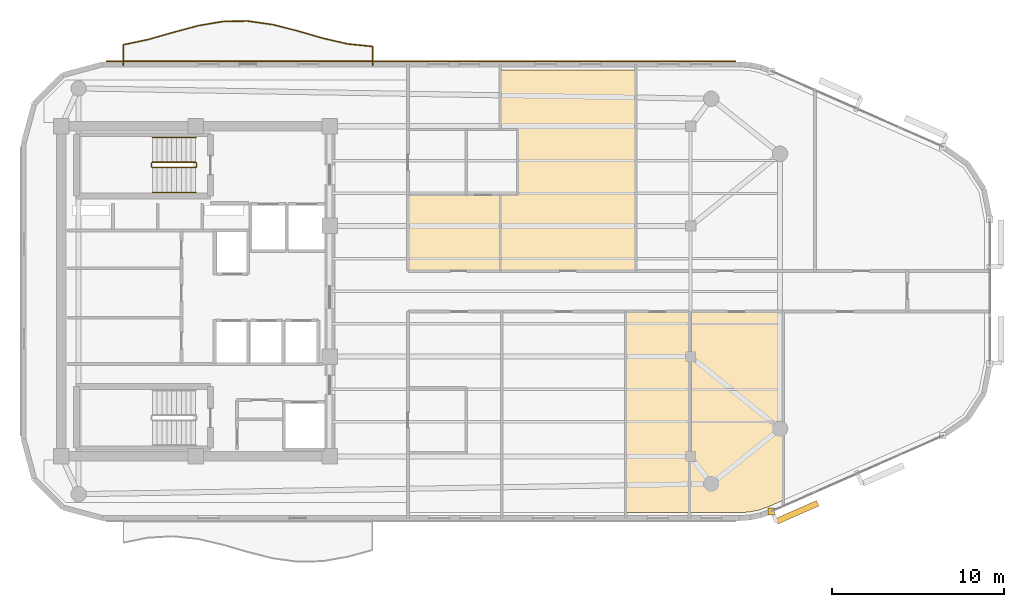
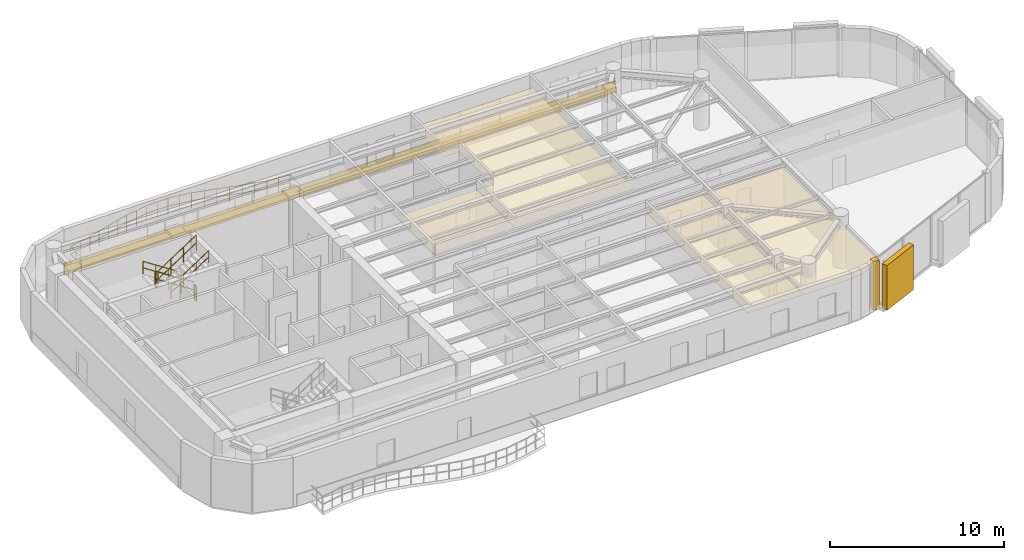
# One storey, part 13 of 14: 7 railings, 6 coverings, 1 shading device.
"""IFC4 building model written with IfcOpenShell, lengths in metres."""

import ifcopenshell
import ifcopenshell.guid

model = None  # the IFC model being written
_history = None  # IfcOwnerHistory: only IFC2X3 demands one
_inside = {}  # id of a spatial element -> (the spatial element, [elements in it])
_under = {}  # id of a project, library or spatial element -> (it, [spatial elements below it])
_declared = {}  # id of a project -> (the project, [libraries it declares])
_typed = {}  # id of a type object -> (the type object, [elements of that type])
_made_of = {}  # id of a material, layer set ... -> (it, [elements and type objects made of it])


def new_model(schema):
    """Start an empty IFC model of exactly this schema.

    Asked for "IFC4X3", IfcOpenShell would pick the latest addendum, in which some entities
    have other attributes; the version numbers below select the first issue.
    IFC2X3 requires an IfcOwnerHistory on every rooted entity: one is made here for all.
    """
    global model, _history
    if schema == "IFC4X3":
        model = ifcopenshell.file(schema_version=(4, 3, 0, 0))
    else:
        model = ifcopenshell.file(schema=schema)
    _inside.clear()
    _under.clear()
    _declared.clear()
    _typed.clear()
    _made_of.clear()
    _history = None
    if model.schema == "IFC2X3":
        org = make("IfcOrganization", Name="unknown")
        user = make(
            "IfcPersonAndOrganization",
            ThePerson=make("IfcPerson", FamilyName="unknown"),
            TheOrganization=org,
        )
        app = make(
            "IfcApplication",
            ApplicationDeveloper=org,
            Version="unknown",
            ApplicationFullName="unknown",
            ApplicationIdentifier="unknown",
        )
        _history = make(
            "IfcOwnerHistory",
            OwningUser=user,
            OwningApplication=app,
            ChangeAction="ADDED",
            CreationDate=0,
        )
    return model


def make(cls, **values):
    """One entity of the class cls with the attributes given. An attribute that is None is left unset."""
    return model.create_entity(
        cls, **{name: value for name, value in values.items() if value is not None}
    )


def rooted(cls, **values):
    """An entity with a GlobalId (a new one), such as an element, a storey or a relation."""
    return make(cls, GlobalId=ifcopenshell.guid.new(), OwnerHistory=_history, **values)


def si_unit(unit_type, name, prefix=None):
    """IfcSIUnit, for example si_unit("LENGTHUNIT", "METRE", prefix="MILLI")."""
    return make("IfcSIUnit", UnitType=unit_type, Prefix=prefix, Name=name)


def assignment(units):
    """IfcUnitAssignment: the units of a project."""
    return None if units is None else make("IfcUnitAssignment", Units=units)


def point(xyz):
    """IfcCartesianPoint."""
    return None if xyz is None else make("IfcCartesianPoint", Coordinates=xyz)


def direction(xyz):
    """IfcDirection."""
    return None if xyz is None else make("IfcDirection", DirectionRatios=xyz)


def frame(location, z_axis=None, x_axis=None):
    """IfcAxis2Placement3D, a coordinate frame: its origin and axes. An axis left out is left unset."""
    return make(
        "IfcAxis2Placement3D",
        Location=point(location),
        Axis=direction(z_axis),
        RefDirection=direction(x_axis),
    )


def frame_2d(location, x_axis=None):
    """IfcAxis2Placement2D, a coordinate frame in the plane: its origin and x axis."""
    return make(
        "IfcAxis2Placement2D", Location=point(location), RefDirection=direction(x_axis)
    )


def origin():
    """The frame at (0, 0, 0) with its axes left unset."""
    return frame((0.0, 0.0, 0.0))


def origin_2d():
    """The frame at (0, 0) in the plane with its x axis left unset."""
    return frame_2d((0.0, 0.0))


def place(relative_to, where):
    """IfcLocalPlacement: puts the frame where relative to a parent placement (None: the world)."""
    return make(
        "IfcLocalPlacement", PlacementRelTo=relative_to, RelativePlacement=where
    )


def context(
    kind, dimensions, precision=None, world=None, true_north=None, identifier=None
):
    """IfcGeometricRepresentationContext, for example the 3D "Model" context."""
    return make(
        "IfcGeometricRepresentationContext",
        ContextIdentifier=identifier,
        ContextType=kind,
        CoordinateSpaceDimension=dimensions,
        Precision=precision,
        WorldCoordinateSystem=world,
        TrueNorth=true_north,
    )


def subcontext(parent, identifier, kind, view, scale=None):
    """IfcGeometricRepresentationSubContext, for example "Body" below "Model"."""
    return make(
        "IfcGeometricRepresentationSubContext",
        ContextIdentifier=identifier,
        ContextType=kind,
        ParentContext=parent,
        TargetScale=scale,
        TargetView=view,
    )


def project(units=None, contexts=None):
    """IfcProject with its units and contexts."""
    return rooted(
        "IfcProject",
        Name="project",
        RepresentationContexts=contexts,
        UnitsInContext=assignment(units),
    )


def spatial(cls, under=None, at=None, **own):
    """A site, building, storey or space (cls), placed at a placement, below another one or the project."""
    s = rooted(cls, ObjectPlacement=at, **own)
    if under is not None:
        _under.setdefault(under.id(), (under, []))[1].append(s)
    return s


def polyline(points):
    """IfcPolyline through the points."""
    return make("IfcPolyline", Points=[point(p) for p in points])


def profile(cls, at=None, kind="AREA", **sizes):
    """A parametric profile (cls). Its sizes go by their IFC names, for example OverallWidth=200.0."""
    return make(cls, ProfileType=kind, Position=at, **sizes)


def rectangle(**sizes):
    """IfcRectangleProfileDef."""
    return profile("IfcRectangleProfileDef", **sizes)


def circle(**sizes):
    """IfcCircleProfileDef."""
    return profile("IfcCircleProfileDef", **sizes)


def outline(outer, holes=None, kind="AREA"):
    """IfcArbitraryClosedProfileDef: a profile drawn as a closed curve; with holes, ...WithVoids."""
    if holes is None:
        return make("IfcArbitraryClosedProfileDef", ProfileType=kind, OuterCurve=outer)
    return make(
        "IfcArbitraryProfileDefWithVoids",
        ProfileType=kind,
        OuterCurve=outer,
        InnerCurves=holes,
    )


def extrude(swept, where, along, depth):
    """IfcExtrudedAreaSolid: the profile swept, set in the frame where, extruded along a direction by depth."""
    return make(
        "IfcExtrudedAreaSolid",
        SweptArea=swept,
        Position=where,
        ExtrudedDirection=direction(along),
        Depth=depth,
    )


def shape(context_of_items, identifier, shape_type, items):
    """IfcShapeRepresentation: the items that make up one representation, for example the "Body"."""
    return make(
        "IfcShapeRepresentation",
        ContextOfItems=context_of_items,
        RepresentationIdentifier=identifier,
        RepresentationType=shape_type,
        Items=items,
    )


def material(Name=None, Category=None):
    """IfcMaterial."""
    return make("IfcMaterial", Name=Name, Category=Category)


def layer(
    of_material, thickness, ventilated=None, Name=None, Category=None, Priority=None
):
    """IfcMaterialLayer: one layer of a wall or slab, of a material (None: an air gap)."""
    return make(
        "IfcMaterialLayer",
        Material=of_material,
        LayerThickness=thickness,
        IsVentilated=ventilated,
        Name=Name,
        Category=Category,
        Priority=Priority,
    )


def layer_set(layers, Name=None):
    """IfcMaterialLayerSet."""
    return make("IfcMaterialLayerSet", MaterialLayers=layers, LayerSetName=Name)


def made_of(thing, what):
    """Note that an element or type object is made of a material, layer set ...; save() writes the relation."""
    if what is not None:
        _made_of.setdefault(what.id(), (what, []))[1].append(thing)
    return thing


def type_object(cls, material=None, **own):
    """A type object (cls), such as IfcWallType, which elements share."""
    return made_of(rooted(cls, **own), material)


def element(
    cls,
    number,
    at=None,
    inside=None,
    cuts=None,
    type_object=None,
    material=None,
    context=None,
    identifier="Body",
    shape_type=None,
    held_by="IfcProductDefinitionShape",
    body=None,
    shapes=None,
    **own,
):
    """One element of the class cls, such as IfcWall. Its Tag is "e" and its number.

    at: its placement. inside: the storey or other place that contains it. cuts: it is an
    opening in that element (IfcRelVoidsElement). A single representation is given by context,
    identifier, shape_type and body (its items); several are given by shapes. held_by: the class
    of the entity that holds the representations. save() writes the other relations.
    """
    e = rooted(cls, Tag="e%d" % number, ObjectPlacement=at, **own)
    if body is not None:
        shapes = [shape(context, identifier, shape_type, body)]
    if shapes is not None:
        e.Representation = make(held_by, Representations=shapes)
    if inside is not None:
        _inside.setdefault(inside.id(), (inside, []))[1].append(e)
    if cuts is not None:
        rooted(
            "IfcRelVoidsElement", RelatingBuildingElement=cuts, RelatedOpeningElement=e
        )
    if type_object is not None:
        _typed.setdefault(type_object.id(), (type_object, []))[1].append(e)
    return made_of(e, material)


def aggregate(whole, parts):
    """IfcRelAggregates: a whole, such as a stair, and the parts it consists of."""
    return rooted("IfcRelAggregates", RelatingObject=whole, RelatedObjects=parts)


def save(model, path):
    """Write the relations noted so far, then the file.

    IfcRelAggregates (storeys below a building ...), IfcRelContainedInSpatialStructure (elements
    in a storey), IfcRelDefinesByType, IfcRelAssociatesMaterial and IfcRelDeclares: one each for
    every whole, place, type object, material and project.
    """
    for whole, parts in _under.values():
        aggregate(whole, parts)
    for where, things in _inside.values():
        rooted(
            "IfcRelContainedInSpatialStructure",
            RelatedElements=things,
            RelatingStructure=where,
        )
    for kind, things in _typed.values():
        rooted("IfcRelDefinesByType", RelatedObjects=things, RelatingType=kind)
    for what, things in _made_of.values():
        rooted("IfcRelAssociatesMaterial", RelatedObjects=things, RelatingMaterial=what)
    for by, libraries in _declared.values():
        rooted("IfcRelDeclares", RelatingContext=by, RelatedDefinitions=libraries)
    model.write(path)


model = new_model("IFC4")

# Units and contexts
model_context = context("Model", 3, precision=1e-05, world=origin(), true_north=direction((0.0, 1.0)))
body_context = subcontext(model_context, "Body", "Model", "MODEL_VIEW")
ifc_project = project(units=[si_unit("LENGTHUNIT", "METRE"), si_unit("AREAUNIT", "SQUARE_METRE"), si_unit("VOLUMEUNIT", "CUBIC_METRE"), si_unit("PLANEANGLEUNIT", "RADIAN"), si_unit("MASSUNIT", "GRAM", prefix="KILO")], contexts=[model_context])

# Site, building, storey
site_placement = place(None, origin())
site = spatial("IfcSite", under=ifc_project, at=site_placement, CompositionType="ELEMENT")
building_placement = place(site_placement, origin())
building = spatial("IfcBuilding", under=site, at=building_placement, Name="An Khanh Terracotta Commons", CompositionType="ELEMENT")
storey_placement = place(building_placement, frame((0.0, 0.0, 284.35009765625)))
storey = spatial("IfcBuildingStorey", under=building, at=storey_placement, Name="L74", CompositionType="ELEMENT", Elevation=284.35009765625)

# Coverings
ifc_material_1 = material(Name="Perforated Mineral-Fibre Acoustic Tile")
ifc_layer_1 = layer(ifc_material_1, 0.02001953125, Name="Perforated Mineral-Fibre Acoustic Tile")
ifc_layer_set_1 = layer_set([ifc_layer_1], Name="Perforated Mineral-Fibre Acoustic Tile")
covering_type_1 = type_object("IfcCoveringType", Name="CEIL-ACOUSTIC-18", PredefinedType="CEILING", material=ifc_layer_set_1)
covering_1_placement = place(storey_placement, frame((0.0, 0.0, 2.64990234375)))
element("IfcCovering", 1, at=covering_1_placement, inside=storey, type_object=covering_type_1, Name="L74 Observatory Study Hall Ceiling", PredefinedType="CEILING", context=body_context, shape_type="SweptSolid", body=[
    extrude(outline(polyline([(41.75, 25.179931640625), (41.75, 29.60009765625), (45.14990234375, 29.60009765625), (47.117919921875, 29.60009765625), (47.117919921875, 25.179931640625), (41.75, 25.179931640625)])), origin(), (0.0, 0.0, 1.0), 0.02001953125),
])
covering_2_placement = place(storey_placement, frame((0.0, 0.0, 2.64990234375)))
element("IfcCovering", 2, at=covering_2_placement, inside=storey, type_object=covering_type_1, Name="L74 Riverfront Reading Hall Ceiling", PredefinedType="CEILING", context=body_context, shape_type="SweptSolid", body=[
    extrude(outline(polyline([(55.011962890625, 36.8798828125), (55.011962890625, 25.179931640625), (47.117919921875, 25.179931640625), (47.117919921875, 29.60009765625), (48.14990234375, 29.60009765625), (48.14990234375, 33.39990234375), (47.117919921875, 33.39990234375), (47.117919921875, 36.8798828125), (55.011962890625, 36.8798828125)])), origin(), (0.0, 0.0, 1.0), 0.02001953125),
])
covering_3_placement = place(storey_placement, frame((0.0, 0.0, 2.64990234375)))
element("IfcCovering", 3, at=covering_3_placement, inside=storey, type_object=covering_type_1, Name="L74 Collaborative Study Lounge Ceiling", PredefinedType="CEILING", context=body_context, shape_type="SweptSolid", body=[
    extrude(outline(polyline([(54.41796875, 11.1201171875), (54.41796875, 22.820068359375), (58.132080078125, 22.820068359375), (58.132080078125, 11.1201171875), (54.41796875, 11.1201171875)])), origin(), (0.0, 0.0, 1.0), 0.02001953125),
])
covering_4_placement = place(storey_placement, frame((0.0, 0.0, 2.64990234375)))
element("IfcCovering", 4, at=covering_4_placement, inside=storey, type_object=covering_type_1, Name="L74 Collaborative Study Lounge Ceiling", PredefinedType="CEILING", context=body_context, shape_type="SweptSolid", body=[
    extrude(outline(polyline([(62.76806640625, 11.488037109375), (62.199951171875, 11.283935546875), (61.62109375, 11.162109375), (61.01904296875, 11.1201171875), (58.132080078125, 11.1201171875), (58.132080078125, 22.820068359375), (63.592041015625, 22.820068359375), (63.592041015625, 11.85205078125), (62.76806640625, 11.488037109375)])), origin(), (0.0, 0.0, 1.0), 0.02001953125),
])
ifc_material_2 = material(Name="Fired Terracotta Rainscreen Cladding", Category="masonry")
ifc_layer_2 = layer(ifc_material_2, 0.080078125, Name="Fired Terracotta Rainscreen Cladding")
ifc_layer_set_2 = layer_set([ifc_layer_2], Name="Fired Terracotta Rainscreen Cladding")
covering_type_2 = type_object("IfcCoveringType", Name="COV-JAMB-TERRA", PredefinedType="CLADDING", material=ifc_layer_set_2)
covering_5_placement = place(storey_placement, frame((62.886962890625, 11.19091796875, 0.0), z_axis=(0.0, 0.0, 1.0), x_axis=(1.0, 0.0, 0.0)))
element("IfcCovering", 5, at=covering_5_placement, inside=storey, type_object=covering_type_2, Name="L74 CW-03 Curtain-Wall Jamb Closure JA", PredefinedType="CLADDING", context=body_context, shape_type="SweptSolid", body=[
    extrude(rectangle(XDim=0.3798828125, YDim=0.3798828125, at=origin_2d()), origin(), (0.0, 0.0, 1.0), 3.449951171875),
])
ifc_layer_3 = layer(ifc_material_2, 0.06005859375, Name="Fired Terracotta Rainscreen Cladding")
ifc_layer_set_3 = layer_set([ifc_layer_3], Name="Fired Terracotta Rainscreen Cladding")
covering_type_3 = type_object("IfcCoveringType", Name="COV-SPANDREL-TERRA", PredefinedType="CLADDING", material=ifc_layer_set_3)
covering_6_placement = place(storey_placement, frame((42.514892578125, 37.3798828125, 0.02001953125), z_axis=(0.0, 0.0, 1.0), x_axis=(-1.0, 0.0, 0.0)))
element("IfcCovering", 6, at=covering_6_placement, inside=storey, type_object=covering_type_3, Name="L74 Terracotta Spandrel Cladding 20", PredefinedType="CLADDING", context=body_context, shape_type="SweptSolid", body=[
    extrude(rectangle(XDim=36.6298828125, YDim=0.06005859375, at=origin_2d()), origin(), (0.0, 0.0, 1.0), 0.800048828125),
])

# Railings
ifc_material_3 = material(Name="Brushed Stainless Steel 316", Category="steel")
railing_type_1 = type_object("IfcRailingType", Name="RAIL-BALUSTRADE-1100", PredefinedType="BALUSTRADE", material=ifc_material_3)
railing_1_placement = place(storey_placement, frame((39.699951171875, 37.139892578125, 0.0)))
element("IfcRailing", 7, at=railing_1_placement, inside=storey, type_object=railing_type_1, Name="L74 N Wave Balcony Guard Balustrade", PredefinedType="BALUSTRADE", context=body_context, shape_type="SweptSolid", body=[
    extrude(circle(Radius=0.02392578125, at=origin_2d()), frame((0.0, 0.0, 1.076171875), z_axis=(0.0, 1.0, 0.0), x_axis=(-1.0, 0.0, 0.0)), (0.0, 0.0, 1.0), 1.10205078125),
    extrude(circle(Radius=0.02392578125, at=origin_2d()), frame((0.0, 0.0, 0.52587890625), z_axis=(0.0, 1.0, 0.0), x_axis=(-1.0, 0.0, 0.0)), (0.0, 0.0, 1.0), 1.10205078125),
    extrude(circle(Radius=0.02392578125, at=origin_2d()), frame((0.0, 1.10205078125, 1.076171875), z_axis=(-0.995101678838, 0.098856708287, 0.0), x_axis=(-0.098856708287, -0.995101678838, 0.0)), (0.0, 0.0, 1.0), 1.45703125),
    extrude(circle(Radius=0.02392578125, at=origin_2d()), frame((0.0, 1.10205078125, 0.52587890625), z_axis=(-0.995101678838, 0.098856708287, 0.0), x_axis=(-0.098856708287, -0.995101678838, 0.0)), (0.0, 0.0, 1.0), 1.45703125),
    extrude(circle(Radius=0.02392578125, at=origin_2d()), frame((-1.449951171875, 1.24609375, 1.076171875), z_axis=(-0.974338633772, 0.225087153651, 0.0), x_axis=(-0.225087153651, -0.974338633772, 0.0)), (0.0, 0.0, 1.0), 1.488037109375),
    extrude(circle(Radius=0.02392578125, at=origin_2d()), frame((-1.449951171875, 1.24609375, 0.52587890625), z_axis=(-0.974338633772, 0.225087153651, 0.0), x_axis=(-0.225087153651, -0.974338633772, 0.0)), (0.0, 0.0, 1.0), 1.488037109375),
    extrude(circle(Radius=0.02392578125, at=origin_2d()), frame((-2.89990234375, 1.5810546875, 1.076171875), z_axis=(-0.960485792075, 0.278329019727, 0.0), x_axis=(-0.278329019727, -0.960485792075, 0.0)), (0.0, 0.0, 1.0), 1.509521484375),
    extrude(circle(Radius=0.02392578125, at=origin_2d()), frame((-2.89990234375, 1.5810546875, 0.52587890625), z_axis=(-0.960485792075, 0.278329019727, 0.0), x_axis=(-0.278329019727, -0.960485792075, 0.0)), (0.0, 0.0, 1.0), 1.509521484375),
    extrude(circle(Radius=0.02392578125, at=origin_2d()), frame((-4.349853515625, 2.001220703125, 1.076171875), z_axis=(-0.968666884021, 0.248363579859, 0.0), x_axis=(-0.248363579859, -0.968666884021, 0.0)), (0.0, 0.0, 1.0), 1.4970703125),
    extrude(circle(Radius=0.02392578125, at=origin_2d()), frame((-4.349853515625, 2.001220703125, 0.52587890625), z_axis=(-0.968666884021, 0.248363579859, 0.0), x_axis=(-0.248363579859, -0.968666884021, 0.0)), (0.0, 0.0, 1.0), 1.4970703125),
    extrude(circle(Radius=0.02392578125, at=origin_2d()), frame((-5.800048828125, 2.373046875, 1.076171875), z_axis=(-0.98995949246, 0.141351346962, 0.0), x_axis=(-0.141351346962, -0.98995949246, 0.0)), (0.0, 0.0, 1.0), 1.464599609375),
    extrude(circle(Radius=0.02392578125, at=origin_2d()), frame((-5.800048828125, 2.373046875, 0.52587890625), z_axis=(-0.98995949246, 0.141351346962, 0.0), x_axis=(-0.141351346962, -0.98995949246, 0.0)), (0.0, 0.0, 1.0), 1.464599609375),
    extrude(circle(Radius=0.02392578125, at=origin_2d()), frame((-7.25, 2.580078125, 1.076171875), z_axis=(-0.999874767378, -0.015825598271, 0.0), x_axis=(0.015825598271, -0.999874767378, 0.0)), (0.0, 0.0, 1.0), 1.4501953125),
    extrude(circle(Radius=0.02392578125, at=origin_2d()), frame((-7.25, 2.580078125, 0.52587890625), z_axis=(-0.999874767378, -0.015825598271, 0.0), x_axis=(0.015825598271, -0.999874767378, 0.0)), (0.0, 0.0, 1.0), 1.4501953125),
    extrude(circle(Radius=0.02392578125, at=origin_2d()), frame((-8.699951171875, 2.55712890625, 1.076171875), z_axis=(-0.985790775199, -0.167977818572, 0.0), x_axis=(0.167977818572, -0.985790775199, 0.0)), (0.0, 0.0, 1.0), 1.470947265625),
    extrude(circle(Radius=0.02392578125, at=origin_2d()), frame((-8.699951171875, 2.55712890625, 0.52587890625), z_axis=(-0.985790775199, -0.167977818572, 0.0), x_axis=(0.167977818572, -0.985790775199, 0.0)), (0.0, 0.0, 1.0), 1.470947265625),
    extrude(circle(Radius=0.02392578125, at=origin_2d()), frame((-10.14990234375, 2.31005859375, 1.076171875), z_axis=(-0.965532515562, -0.260282464626, 0.0), x_axis=(0.260282464626, -0.965532515562, 0.0)), (0.0, 0.0, 1.0), 1.501708984375),
    extrude(circle(Radius=0.02392578125, at=origin_2d()), frame((-10.14990234375, 2.31005859375, 0.52587890625), z_axis=(-0.965532515562, -0.260282464626, 0.0), x_axis=(0.260282464626, -0.965532515562, 0.0)), (0.0, 0.0, 1.0), 1.501708984375),
    extrude(circle(Radius=0.02392578125, at=origin_2d()), frame((-11.599853515625, 1.919189453125, 1.076171875), z_axis=(-0.961572802146, -0.274550079535, 0.0), x_axis=(0.274550079535, -0.961572802146, 0.0)), (0.0, 0.0, 1.0), 1.508056640625),
    extrude(circle(Radius=0.02392578125, at=origin_2d()), frame((-11.599853515625, 1.919189453125, 0.52587890625), z_axis=(-0.961572802146, -0.274550079535, 0.0), x_axis=(0.274550079535, -0.961572802146, 0.0)), (0.0, 0.0, 1.0), 1.508056640625),
    extrude(circle(Radius=0.02392578125, at=origin_2d()), frame((-13.050048828125, 1.505126953125, 1.076171875), z_axis=(-0.978593469626, -0.20580286977, 0.0), x_axis=(0.20580286977, -0.978593469626, 0.0)), (0.0, 0.0, 1.0), 1.481689453125),
    extrude(circle(Radius=0.02392578125, at=origin_2d()), frame((-13.050048828125, 1.505126953125, 0.52587890625), z_axis=(-0.978593469626, -0.20580286977, 0.0), x_axis=(0.20580286977, -0.978593469626, 0.0)), (0.0, 0.0, 1.0), 1.481689453125),
    extrude(circle(Radius=0.02392578125, at=origin_2d()), frame((-14.5, 1.2001953125, 1.076171875), z_axis=(0.0, -1.0, 0.0), x_axis=(1.0, 0.0, 0.0)), (0.0, 0.0, 1.0), 1.2001953125),
    extrude(circle(Radius=0.02392578125, at=origin_2d()), frame((-14.5, 1.2001953125, 0.52587890625), z_axis=(0.0, -1.0, 0.0), x_axis=(1.0, 0.0, 0.0)), (0.0, 0.0, 1.0), 1.2001953125),
    extrude(circle(Radius=0.02099609375, at=origin_2d()), origin(), (0.0, 0.0, 1.0), 1.052001953125),
    extrude(circle(Radius=0.02099609375, at=origin_2d()), frame((0.0, 1.10205078125, 0.0)), (0.0, 0.0, 1.0), 1.052001953125),
    extrude(circle(Radius=0.02099609375, at=origin_2d()), frame((-0.72509765625, 1.174072265625, 0.0)), (0.0, 0.0, 1.0), 1.052001953125),
    extrude(circle(Radius=0.02099609375, at=origin_2d()), frame((-1.449951171875, 1.24609375, 0.0)), (0.0, 0.0, 1.0), 1.052001953125),
    extrude(circle(Radius=0.02099609375, at=origin_2d()), frame((-2.1748046875, 1.41357421875, 0.0)), (0.0, 0.0, 1.0), 1.052001953125),
    extrude(circle(Radius=0.02099609375, at=origin_2d()), frame((-2.89990234375, 1.5810546875, 0.0)), (0.0, 0.0, 1.0), 1.052001953125),
    extrude(circle(Radius=0.02099609375, at=origin_2d()), frame((-3.625, 1.791015625, 0.0)), (0.0, 0.0, 1.0), 1.052001953125),
    extrude(circle(Radius=0.02099609375, at=origin_2d()), frame((-4.349853515625, 2.001220703125, 0.0)), (0.0, 0.0, 1.0), 1.052001953125),
    extrude(circle(Radius=0.02099609375, at=origin_2d()), frame((-5.074951171875, 2.18701171875, 0.0)), (0.0, 0.0, 1.0), 1.052001953125),
    extrude(circle(Radius=0.02099609375, at=origin_2d()), frame((-5.800048828125, 2.373046875, 0.0)), (0.0, 0.0, 1.0), 1.052001953125),
    extrude(circle(Radius=0.02099609375, at=origin_2d()), frame((-6.52490234375, 2.4765625, 0.0)), (0.0, 0.0, 1.0), 1.052001953125),
    extrude(circle(Radius=0.02099609375, at=origin_2d()), frame((-7.25, 2.580078125, 0.0)), (0.0, 0.0, 1.0), 1.052001953125),
    extrude(circle(Radius=0.02099609375, at=origin_2d()), frame((-7.97509765625, 2.568603515625, 0.0)), (0.0, 0.0, 1.0), 1.052001953125),
    extrude(circle(Radius=0.02099609375, at=origin_2d()), frame((-8.699951171875, 2.55712890625, 0.0)), (0.0, 0.0, 1.0), 1.052001953125),
    extrude(circle(Radius=0.02099609375, at=origin_2d()), frame((-9.4248046875, 2.43359375, 0.0)), (0.0, 0.0, 1.0), 1.052001953125),
    extrude(circle(Radius=0.02099609375, at=origin_2d()), frame((-10.14990234375, 2.31005859375, 0.0)), (0.0, 0.0, 1.0), 1.052001953125),
    extrude(circle(Radius=0.02099609375, at=origin_2d()), frame((-10.875, 2.11474609375, 0.0)), (0.0, 0.0, 1.0), 1.052001953125),
    extrude(circle(Radius=0.02099609375, at=origin_2d()), frame((-11.599853515625, 1.919189453125, 0.0)), (0.0, 0.0, 1.0), 1.052001953125),
    extrude(circle(Radius=0.02099609375, at=origin_2d()), frame((-12.324951171875, 1.712158203125, 0.0)), (0.0, 0.0, 1.0), 1.052001953125),
    extrude(circle(Radius=0.02099609375, at=origin_2d()), frame((-13.050048828125, 1.505126953125, 0.0)), (0.0, 0.0, 1.0), 1.052001953125),
    extrude(circle(Radius=0.02099609375, at=origin_2d()), frame((-13.77490234375, 1.3525390625, 0.0)), (0.0, 0.0, 1.0), 1.052001953125),
    extrude(circle(Radius=0.02099609375, at=origin_2d()), frame((-14.5, 1.2001953125, 0.0)), (0.0, 0.0, 1.0), 1.052001953125),
    extrude(circle(Radius=0.02099609375, at=origin_2d()), frame((-14.5, 0.60009765625, 0.0)), (0.0, 0.0, 1.0), 1.052001953125),
    extrude(circle(Radius=0.02099609375, at=origin_2d()), frame((-14.5, 0.0, 0.0)), (0.0, 0.0, 1.0), 1.052001953125),
])
railing_type_2 = type_object("IfcRailingType", Name="RAIL-HANDRAIL-900", PredefinedType="HANDRAIL", material=ifc_material_3)
railing_2_placement = place(storey_placement, frame((29.409912109375, 32.949951171875, 0.182373046875)))
element("IfcRailing", 8, at=railing_2_placement, inside=storey, type_object=railing_type_2, Name="L74 ST-01 stair handrail 1", PredefinedType="HANDRAIL", context=body_context, shape_type="SweptSolid", body=[
    extrude(circle(Radius=0.02392578125, at=origin_2d()), frame((0.0, 0.0, 0.8759765625), z_axis=(-0.837749427056, 0.0, 0.546054848405), x_axis=(0.0, -1.0, 0.0)), (0.0, 0.0, 1.0), 3.008056640625),
    extrude(circle(Radius=0.02392578125, at=origin_2d()), frame((0.0, 0.0, 0.42578125), z_axis=(-0.837749427056, 0.0, 0.546054848405), x_axis=(0.0, -1.0, 0.0)), (0.0, 0.0, 1.0), 3.008056640625),
    extrude(circle(Radius=0.02099609375, at=origin_2d()), origin(), (0.0, 0.0, 1.0), 0.851806640625),
    extrude(circle(Radius=0.02099609375, at=origin_2d()), frame((-0.840087890625, 0.0, 0.547607421875)), (0.0, 0.0, 1.0), 0.851806640625),
    extrude(circle(Radius=0.02099609375, at=origin_2d()), frame((-1.679931640625, 0.0, 1.094970703125)), (0.0, 0.0, 1.0), 0.851806640625),
    extrude(circle(Radius=0.02099609375, at=origin_2d()), frame((-2.52001953125, 0.0, 1.642578125)), (0.0, 0.0, 1.0), 0.851806640625),
])
railing_3_placement = place(storey_placement, frame((26.889892578125, 29.75, 2.00732421875)))
element("IfcRailing", 9, at=railing_3_placement, inside=storey, type_object=railing_type_2, Name="L74 ST-01 stair handrail 2", PredefinedType="HANDRAIL", context=body_context, shape_type="SweptSolid", body=[
    extrude(circle(Radius=0.02392578125, at=origin_2d()), frame((0.0, 0.0, 0.8759765625), z_axis=(0.837749427056, 0.0, 0.546054848405), x_axis=(0.0, 1.0, 0.0)), (0.0, 0.0, 1.0), 3.008056640625),
    extrude(circle(Radius=0.02392578125, at=origin_2d()), frame((0.0, 0.0, 0.42578125), z_axis=(0.837749427056, 0.0, 0.546054848405), x_axis=(0.0, 1.0, 0.0)), (0.0, 0.0, 1.0), 3.008056640625),
    extrude(circle(Radius=0.02099609375, at=origin_2d()), origin(), (0.0, 0.0, 1.0), 0.851806640625),
    extrude(circle(Radius=0.02099609375, at=origin_2d()), frame((0.840087890625, 0.0, 0.547607421875)), (0.0, 0.0, 1.0), 0.851806640625),
    extrude(circle(Radius=0.02099609375, at=origin_2d()), frame((1.679931640625, 0.0, 1.094970703125)), (0.0, 0.0, 1.0), 0.851806640625),
    extrude(circle(Radius=0.02099609375, at=origin_2d()), frame((2.52001953125, 0.0, 1.642578125)), (0.0, 0.0, 1.0), 0.851806640625),
])
ifc_material_4 = material(Name="Powder-Coated Steel S355J2", Category="steel")
railing_type_3 = type_object("IfcRailingType", Name="RAIL-STAIR-GUARD-1100", PredefinedType="BALUSTRADE", material=ifc_material_4)
railing_4_placement = place(storey_placement, frame((29.409912109375, 31.5, 0.182373046875)))
element("IfcRailing", 10, at=railing_4_placement, inside=storey, type_object=railing_type_3, Name="L74 ST-01 stair guard 1", PredefinedType="BALUSTRADE", context=body_context, shape_type="SweptSolid", body=[
    extrude(circle(Radius=0.02392578125, at=origin_2d()), frame((0.0, 0.0, 1.076171875), z_axis=(-0.837749427056, 0.0, 0.546054848405), x_axis=(0.0, -1.0, 0.0)), (0.0, 0.0, 1.0), 3.008056640625),
    extrude(circle(Radius=0.02392578125, at=origin_2d()), frame((0.0, 0.0, 0.52587890625), z_axis=(-0.837749427056, 0.0, 0.546054848405), x_axis=(0.0, -1.0, 0.0)), (0.0, 0.0, 1.0), 3.008056640625),
    extrude(circle(Radius=0.02099609375, at=origin_2d()), origin(), (0.0, 0.0, 1.0), 1.052001953125),
    extrude(circle(Radius=0.02099609375, at=origin_2d()), frame((-0.840087890625, 0.0, 0.547607421875)), (0.0, 0.0, 1.0), 1.052001953125),
    extrude(circle(Radius=0.02099609375, at=origin_2d()), frame((-1.679931640625, 0.0, 1.094970703125)), (0.0, 0.0, 1.0), 1.052001953125),
    extrude(circle(Radius=0.02099609375, at=origin_2d()), frame((-2.52001953125, 0.0, 1.642578125)), (0.0, 0.0, 1.0), 1.052001953125),
])
railing_5_placement = place(storey_placement, frame((26.840087890625, 31.449951171875, 1.824951171875)))
element("IfcRailing", 11, at=railing_5_placement, inside=storey, type_object=railing_type_3, Name="L74 ST-01 stair guard 2", PredefinedType="BALUSTRADE", context=body_context, shape_type="SweptSolid", body=[
    extrude(circle(Radius=0.02392578125, at=origin_2d()), frame((0.0, 0.0, 1.076171875), z_axis=(0.0, -1.0, 0.0), x_axis=(1.0, 0.0, 0.0)), (0.0, 0.0, 1.0), 0.199951171875),
    extrude(circle(Radius=0.02392578125, at=origin_2d()), frame((0.0, 0.0, 0.52587890625), z_axis=(0.0, -1.0, 0.0), x_axis=(1.0, 0.0, 0.0)), (0.0, 0.0, 1.0), 0.199951171875),
    extrude(circle(Radius=0.02099609375, at=origin_2d()), origin(), (0.0, 0.0, 1.0), 1.052001953125),
    extrude(circle(Radius=0.02099609375, at=origin_2d()), frame((0.0, -0.199951171875, 0.0)), (0.0, 0.0, 1.0), 1.052001953125),
])
railing_6_placement = place(storey_placement, frame((26.889892578125, 31.199951171875, 2.00732421875)))
element("IfcRailing", 12, at=railing_6_placement, inside=storey, type_object=railing_type_3, Name="L74 ST-01 stair guard 3", PredefinedType="BALUSTRADE", context=body_context, shape_type="SweptSolid", body=[
    extrude(circle(Radius=0.02392578125, at=origin_2d()), frame((0.0, 0.0, 1.076171875), z_axis=(0.837749427056, 0.0, 0.546054848405), x_axis=(0.0, 1.0, 0.0)), (0.0, 0.0, 1.0), 3.008056640625),
    extrude(circle(Radius=0.02392578125, at=origin_2d()), frame((0.0, 0.0, 0.52587890625), z_axis=(0.837749427056, 0.0, 0.546054848405), x_axis=(0.0, 1.0, 0.0)), (0.0, 0.0, 1.0), 3.008056640625),
    extrude(circle(Radius=0.02099609375, at=origin_2d()), origin(), (0.0, 0.0, 1.0), 1.052001953125),
    extrude(circle(Radius=0.02099609375, at=origin_2d()), frame((0.840087890625, 0.0, 0.547607421875)), (0.0, 0.0, 1.0), 1.052001953125),
    extrude(circle(Radius=0.02099609375, at=origin_2d()), frame((1.679931640625, 0.0, 1.094970703125)), (0.0, 0.0, 1.0), 1.052001953125),
    extrude(circle(Radius=0.02099609375, at=origin_2d()), frame((2.52001953125, 0.0, 1.642578125)), (0.0, 0.0, 1.0), 1.052001953125),
])
railing_7_placement = place(storey_placement, frame((29.4599609375, 31.449951171875, 0.0)))
element("IfcRailing", 13, at=railing_7_placement, inside=storey, type_object=railing_type_3, Name="L74 ST-01 stair guard 4", PredefinedType="BALUSTRADE", context=body_context, shape_type="SweptSolid", body=[
    extrude(circle(Radius=0.02392578125, at=origin_2d()), frame((0.0, 0.0, 1.076171875), z_axis=(0.0, -1.0, 0.0), x_axis=(1.0, 0.0, 0.0)), (0.0, 0.0, 1.0), 0.199951171875),
    extrude(circle(Radius=0.02392578125, at=origin_2d()), frame((0.0, 0.0, 0.52587890625), z_axis=(0.0, -1.0, 0.0), x_axis=(1.0, 0.0, 0.0)), (0.0, 0.0, 1.0), 0.199951171875),
    extrude(circle(Radius=0.02099609375, at=origin_2d()), origin(), (0.0, 0.0, 1.0), 1.052001953125),
    extrude(circle(Radius=0.02099609375, at=origin_2d()), frame((0.0, -0.199951171875, 0.0)), (0.0, 0.0, 1.0), 1.052001953125),
])

# Shading device
ifc_material_5 = material(Name="Extruded Fired Terracotta", Category="masonry")
shading_device_type = type_object("IfcShadingDeviceType", Name="Terracotta Baguette Screen Assembly", PredefinedType="USERDEFINED", material=ifc_material_5)
shading_device_placement = place(storey_placement, frame((64.39599609375, 11.14599609375, 0.14990234375), z_axis=(0.0, 0.0, 1.0), x_axis=(0.914901853201, 0.403676354285, 0.0)))
element("IfcShadingDevice", 14, at=shading_device_placement, inside=storey, type_object=shading_device_type, Name="L74 Terracotta Baguette Screen 1", ObjectType="BAGUETTE", PredefinedType="USERDEFINED", context=body_context, shape_type="SweptSolid", body=[
    extrude(rectangle(XDim=2.60400390625, YDim=0.35009765625, at=origin_2d()), origin(), (0.0, 0.0, 1.0), 3.14990234375),
])

save(model, "model.ifc")
